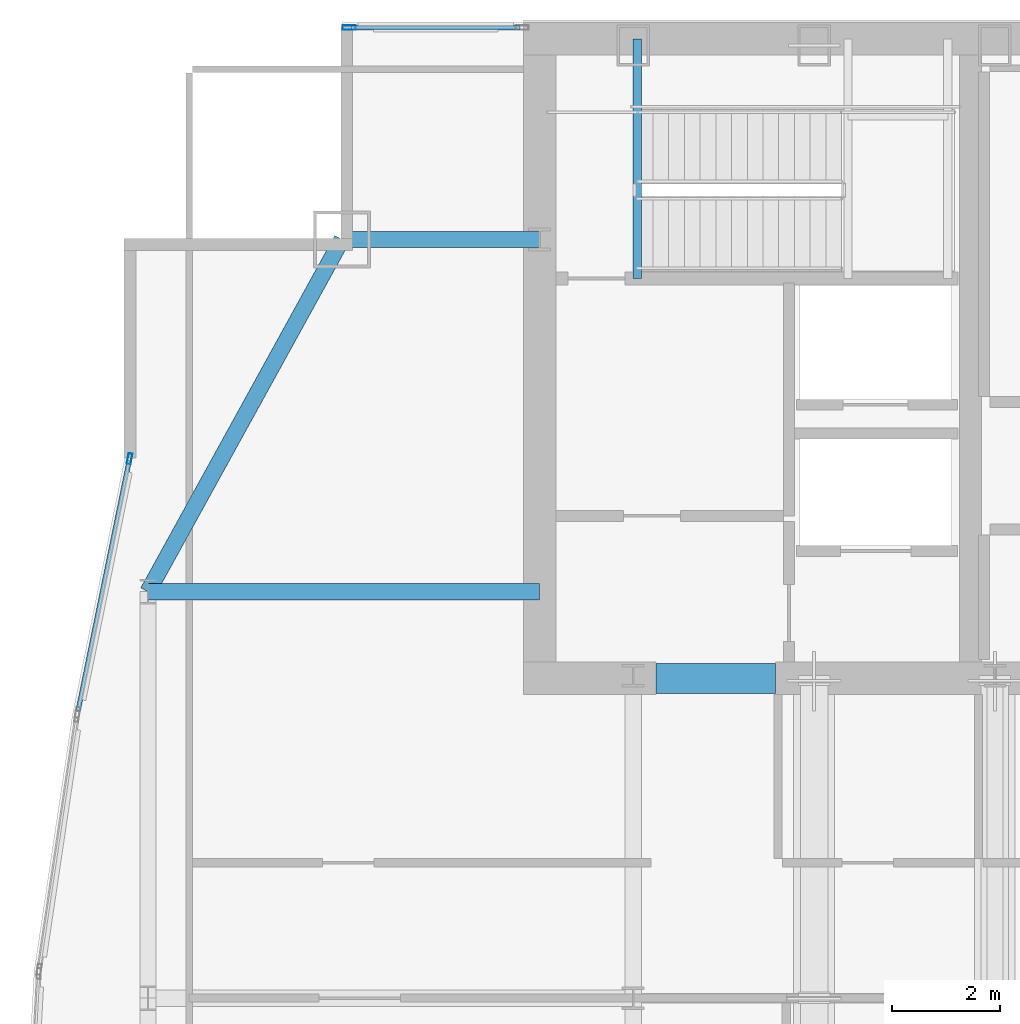
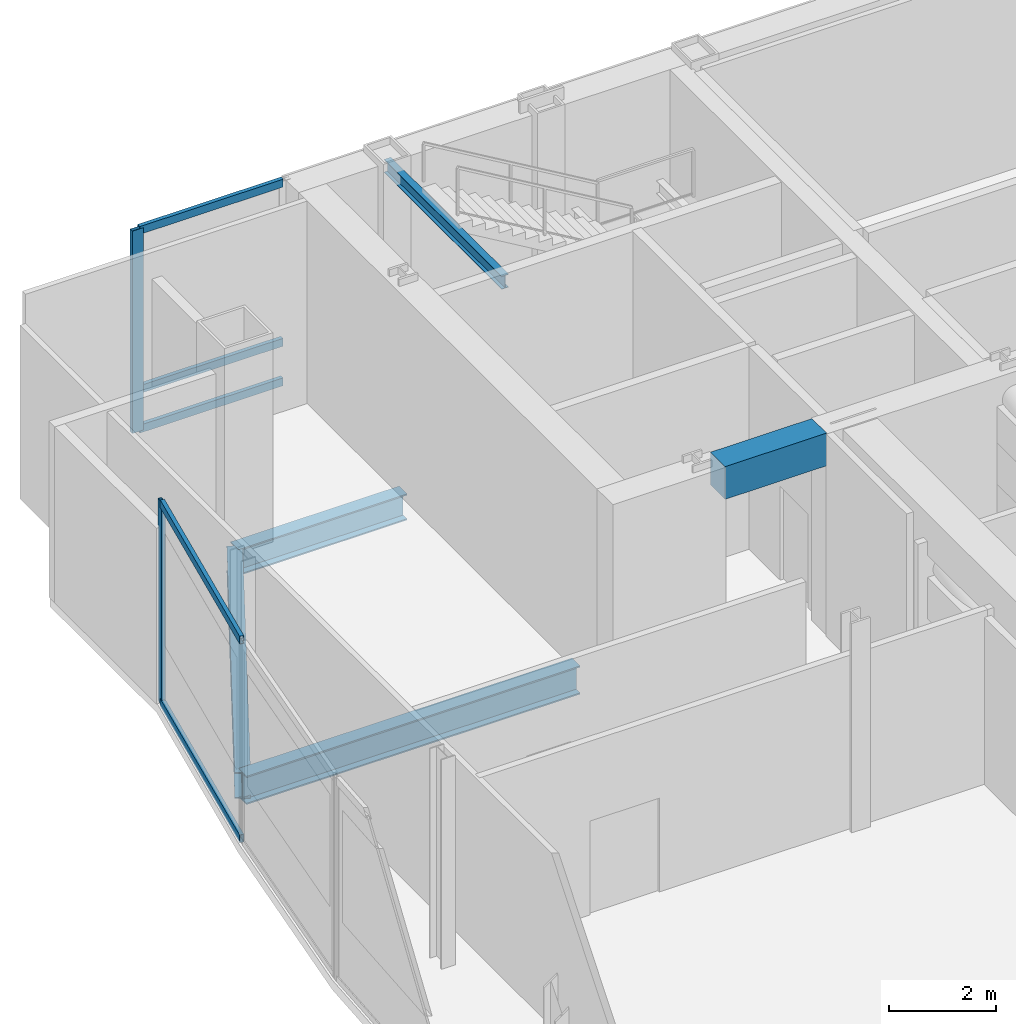
# One storey, part 22 of 32: 7 members, 5 beams, 2 elements without a shape of their own.
"""IFC4 building model written with IfcOpenShell, lengths in metres."""

from ifc_helpers import new_model, si_unit, direction, frame, origin, origin_2d, place, context, subcontext, project, spatial, rectangle, hollow_rectangle, i_section, extrude, material, material_profile, profile_set, type_object, element, aggregate, save


model = new_model("IFC4")

# Units and contexts
model_context = context("Model", 3, precision=1e-05, world=origin(), true_north=direction((0.0, 1.0)))
body_context = subcontext(model_context, "Body", "Model", "MODEL_VIEW")
ifc_project = project(units=[si_unit("LENGTHUNIT", "METRE"), si_unit("AREAUNIT", "SQUARE_METRE"), si_unit("VOLUMEUNIT", "CUBIC_METRE"), si_unit("PLANEANGLEUNIT", "RADIAN"), si_unit("MASSUNIT", "GRAM", prefix="KILO")], contexts=[model_context])

# Site, building, storey
site_placement = place(None, origin())
site = spatial("IfcSite", under=ifc_project, at=site_placement, CompositionType="ELEMENT")
building_placement = place(site_placement, origin())
building = spatial("IfcBuilding", under=site, at=building_placement, Name="Khoronbel Lancet Exchange", CompositionType="ELEMENT")
storey_placement = place(building_placement, frame((0.0, 0.0, 257.0)))
storey = spatial("IfcBuildingStorey", under=building, at=storey_placement, Name="L66", CompositionType="ELEMENT", Elevation=257.0)

# Beams
ifc_material_1 = material(Name="Steel S355", Category="steel")
ifc_material_profile_1 = material_profile(ifc_material_1, i_section(OverallWidth=0.300048828125, OverallDepth=0.64990234375, WebThickness=0.01611328125, FlangeThickness=0.031005859375, at=origin_2d()), Name="HEB 650")
ifc_profile_set_1 = profile_set([ifc_material_profile_1], Name="Steel S355")
beam_type_1 = type_object("IfcBeamType", Name="BM-BG4", PredefinedType="BEAM", material=ifc_profile_set_1)
beam_1_placement = place(storey_placement, frame((9.27001953125, 43.199951171875, -0.544921875), z_axis=(1.0, 0.0, 0.0), x_axis=(0.0, 1.0, 0.0)))
element("IfcBeam", 1, at=beam_1_placement, inside=storey, type_object=beam_type_1, Name="Level L66 west lens tie girder LG3W", PredefinedType="BEAM", context=body_context, shape_type="SweptSolid", body=[
    extrude(i_section(OverallWidth=0.300048828125, OverallDepth=0.64990234375, WebThickness=0.01611328125, FlangeThickness=0.031005859375, at=origin_2d()), origin(), (0.0, 0.0, 1.0), 7.22998046875),
])
ifc_material_profile_2 = material_profile(ifc_material_1, i_section(OverallWidth=0.14990234375, OverallDepth=0.300048828125, WebThickness=0.007080078125, FlangeThickness=0.0107421875, at=origin_2d()), Name="IPE 300")
ifc_profile_set_2 = profile_set([ifc_material_profile_2], Name="Steel S355")
beam_type_2 = type_object("IfcBeamType", Name="BM-BJ8", PredefinedType="JOIST", material=ifc_profile_set_2)
beam_2_placement = place(storey_placement, frame((18.300048828125, 48.97998046875, 4.360107421875), z_axis=(0.0, 1.0, 0.0), x_axis=(-1.0, 0.0, 0.0)))
element("IfcBeam", 2, at=beam_2_placement, inside=storey, type_object=beam_type_2, Name="Level L66 stair ST1 upper-flight arrival trimmer beam", PredefinedType="JOIST", context=body_context, shape_type="SweptSolid", body=[
    extrude(i_section(OverallWidth=0.14990234375, OverallDepth=0.300048828125, WebThickness=0.007080078125, FlangeThickness=0.0107421875, at=origin_2d()), origin(), (0.0, 0.0, 1.0), 4.419921875),
])
ifc_material_2 = material(Name="Concrete C60/75", Category="concrete")
ifc_material_profile_3 = material_profile(ifc_material_2, rectangle(XDim=0.550048828125, YDim=0.75, at=origin_2d()), Name="RC 550x750")
ifc_profile_set_3 = profile_set([ifc_material_profile_3], Name="Concrete C60/75")
beam_type_3 = type_object("IfcBeamType", Name="BM-BL2", PredefinedType="LINTEL", material=ifc_profile_set_3)
beam_3_placement = place(storey_placement, frame((18.64990234375, 41.60009765625, 4.264892578125), z_axis=(1.0, 0.0, 0.0), x_axis=(0.0, 1.0, 0.0)))
element("IfcBeam", 3, at=beam_3_placement, inside=storey, type_object=beam_type_3, Name="Level L66 rear core coupling lintel L1", PredefinedType="LINTEL", context=body_context, shape_type="SweptSolid", body=[
    extrude(rectangle(XDim=0.550048828125, YDim=0.75, at=origin_2d()), origin(), (0.0, 0.0, 1.0), 2.2001953125),
])
ifc_material_profile_4 = material_profile(ifc_material_1, i_section(OverallWidth=0.300048828125, OverallDepth=0.60009765625, WebThickness=0.015380859375, FlangeThickness=0.030029296875, at=origin_2d()), Name="HEB 600")
ifc_profile_set_4 = profile_set([ifc_material_profile_4], Name="Steel S355")
beam_type_4 = type_object("IfcBeamType", Name="BM-BSP2", PredefinedType="SPANDREL", material=ifc_profile_set_4)
beam_4_placement = place(storey_placement, frame((12.85009765625, 49.699951171875, -0.52001953125), z_axis=(-0.482444051088, -0.875926787791, 0.0), x_axis=(0.875926787791, -0.482444051088, 0.0)))
element("IfcBeam", 4, at=beam_4_placement, inside=storey, type_object=beam_type_4, Name="Level L66 perimeter spandrel beam SP16", PredefinedType="SPANDREL", context=body_context, shape_type="SweptSolid", body=[
    extrude(i_section(OverallWidth=0.300048828125, OverallDepth=0.60009765625, WebThickness=0.015380859375, FlangeThickness=0.030029296875, at=origin_2d()), origin(), (0.0, 0.0, 1.0), 7.420654296875),
])
beam_5_placement = place(storey_placement, frame((12.85009765625, 49.699951171875, -0.52001953125), z_axis=(1.0, 0.0, 0.0), x_axis=(0.0, 1.0, 0.0)))
element("IfcBeam", 5, at=beam_5_placement, inside=storey, type_object=beam_type_4, Name="Level L66 north flank tie spandrel SP22", PredefinedType="SPANDREL", context=body_context, shape_type="SweptSolid", body=[
    extrude(i_section(OverallWidth=0.300048828125, OverallDepth=0.60009765625, WebThickness=0.015380859375, FlangeThickness=0.030029296875, at=origin_2d()), origin(), (0.0, 0.0, 1.0), 3.64990234375),
])

# Curtain wall, member
ifc_material_3 = material(Name="Low-E Solar Control Insulating Glass", Category="glass")
curtain_wall_type_1 = type_object("IfcCurtainWallType", Name="CW-3", PredefinedType="NOTDEFINED", material=ifc_material_3)
curtain_wall_1_placement = place(storey_placement, origin())
curtain_wall_1 = element("IfcCurtainWall", 6, at=curtain_wall_1_placement, inside=storey, type_object=curtain_wall_type_1, Name="Unitised curtain wall CW-L66-NWFLK", PredefinedType="NOTDEFINED")
ifc_material_4 = material(Name="Bronze-Anodised Aluminium 6063-T6", Category="aluminium")
ifc_material_profile_5 = material_profile(ifc_material_4, hollow_rectangle(XDim=0.0849609375, YDim=0.239990234375, WallThickness=0.006103515625, at=origin_2d()), Name="ALU MULLION 85x240")
ifc_profile_set_5 = profile_set([ifc_material_profile_5], Name="Bronze-Anodised Aluminium 6063-T6")
member_type_1 = type_object("IfcMemberType", Name="MEM-CWM1", PredefinedType="MULLION", material=ifc_profile_set_5)
member_1_placement = place(storey_placement, frame((12.982421875, 53.610107421875, 0.0), z_axis=(0.0, 0.0, 1.0), x_axis=(0.0, -1.0, 0.0)))
member_1 = element("IfcMember", 7, at=member_1_placement, type_object=member_type_1, Name="CW3 mullion 2", PredefinedType="MULLION", context=body_context, shape_type="SweptSolid", body=[
    extrude(hollow_rectangle(XDim=0.0849609375, YDim=0.239990234375, WallThickness=0.006103515625, at=origin_2d()), origin(), (0.0, 0.0, 1.0), 4.639892578125),
])

# Curtain wall, members
curtain_wall_type_2 = type_object("IfcCurtainWallType", Name="CW-4", PredefinedType="NOTDEFINED", material=ifc_material_3)
curtain_wall_2_placement = place(storey_placement, origin())
curtain_wall_2 = element("IfcCurtainWall", 8, at=curtain_wall_2_placement, inside=storey, type_object=curtain_wall_type_2, Name="Unitised curtain wall CW-L66-E09", PredefinedType="NOTDEFINED")
ifc_material_profile_6 = material_profile(ifc_material_4, hollow_rectangle(XDim=0.074951171875, YDim=0.199951171875, WallThickness=0.0048828125, at=origin_2d()), Name="ALU MULLION 75x200")
ifc_profile_set_6 = profile_set([ifc_material_profile_6], Name="Bronze-Anodised Aluminium 6063-T6")
member_type_2 = type_object("IfcMemberType", Name="MEM-CWM2", PredefinedType="MULLION", material=ifc_profile_set_6)
member_2_placement = place(storey_placement, frame((8.9326171875, 45.654052734375, 0.0), z_axis=(0.0, 0.0, 1.0), x_axis=(-0.979785276195, 0.200052024611, 0.0)))
member_2 = element("IfcMember", 9, at=member_2_placement, type_object=member_type_2, Name="CW4 mullion 2", PredefinedType="MULLION", context=body_context, shape_type="SweptSolid", body=[
    extrude(hollow_rectangle(XDim=0.074951171875, YDim=0.199951171875, WallThickness=0.0048828125, at=origin_2d()), origin(), (0.0, 0.0, 1.0), 4.639892578125),
])
ifc_material_profile_7 = material_profile(ifc_material_4, hollow_rectangle(XDim=0.0849609375, YDim=0.179931640625, WallThickness=0.0048828125, at=origin_2d()), Name="ALU TRANSOM 85x180")
ifc_profile_set_7 = profile_set([ifc_material_profile_7], Name="Bronze-Anodised Aluminium 6063-T6")
member_type_3 = type_object("IfcMemberType", Name="MEM-CWT1", PredefinedType="USERDEFINED", material=ifc_profile_set_7)
member_3_placement = place(storey_placement, frame((7.98388671875, 41.0078125, 0.04248046875), z_axis=(0.20004642992, 0.9797864185, 0.0), x_axis=(-0.9797864185, 0.20004642992, 0.0)))
member_3 = element("IfcMember", 10, at=member_3_placement, type_object=member_type_3, Name="CW4 transom 1.1", ObjectType="TRANSOM", PredefinedType="USERDEFINED", context=body_context, shape_type="SweptSolid", body=[
    extrude(hollow_rectangle(XDim=0.0849609375, YDim=0.179931640625, WallThickness=0.0048828125, at=origin_2d()), origin(), (0.0, 0.0, 1.0), 4.704833984375),
])
member_4_placement = place(storey_placement, frame((7.98388671875, 41.0078125, 4.597412109375), z_axis=(0.20004642992, 0.9797864185, 0.0), x_axis=(-0.9797864185, 0.20004642992, 0.0)))
member_4 = element("IfcMember", 11, at=member_4_placement, type_object=member_type_3, Name="CW4 transom 1.2", ObjectType="TRANSOM", PredefinedType="USERDEFINED", context=body_context, shape_type="SweptSolid", body=[
    extrude(hollow_rectangle(XDim=0.0849609375, YDim=0.179931640625, WallThickness=0.0048828125, at=origin_2d()), origin(), (0.0, 0.0, 1.0), 4.704833984375),
])
aggregate(curtain_wall_2, [member_2, member_3, member_4])

# Member
member_5_placement = place(storey_placement, frame((16.135009765625, 53.610107421875, 0.04248046875), z_axis=(-1.0, 0.0, 0.0), x_axis=(0.0, -1.0, 0.0)))
member_5 = element("IfcMember", 12, at=member_5_placement, type_object=member_type_3, Name="CW3 transom 1.1", ObjectType="TRANSOM", PredefinedType="USERDEFINED", context=body_context, shape_type="SweptSolid", body=[
    extrude(hollow_rectangle(XDim=0.0849609375, YDim=0.179931640625, WallThickness=0.0048828125, at=origin_2d()), origin(), (0.0, 0.0, 1.0), 3.110107421875),
])

member_6_placement = place(storey_placement, frame((16.135009765625, 53.610107421875, 0.949951171875), z_axis=(-1.0, 0.0, 0.0), x_axis=(0.0, -1.0, 0.0)))
member_6 = element("IfcMember", 13, at=member_6_placement, type_object=member_type_3, Name="CW3 transom 1.2", ObjectType="TRANSOM", PredefinedType="USERDEFINED", context=body_context, shape_type="SweptSolid", body=[
    extrude(hollow_rectangle(XDim=0.0849609375, YDim=0.179931640625, WallThickness=0.0048828125, at=origin_2d()), origin(), (0.0, 0.0, 1.0), 3.110107421875),
])

member_7_placement = place(storey_placement, frame((16.135009765625, 53.610107421875, 4.597412109375), z_axis=(-1.0, 0.0, 0.0), x_axis=(0.0, -1.0, 0.0)))
member_7 = element("IfcMember", 14, at=member_7_placement, type_object=member_type_3, Name="CW3 transom 1.3", ObjectType="TRANSOM", PredefinedType="USERDEFINED", context=body_context, shape_type="SweptSolid", body=[
    extrude(hollow_rectangle(XDim=0.0849609375, YDim=0.179931640625, WallThickness=0.0048828125, at=origin_2d()), origin(), (0.0, 0.0, 1.0), 3.110107421875),
])

aggregate(curtain_wall_1, [member_1, member_5, member_6, member_7])

save(model, "model.ifc")
